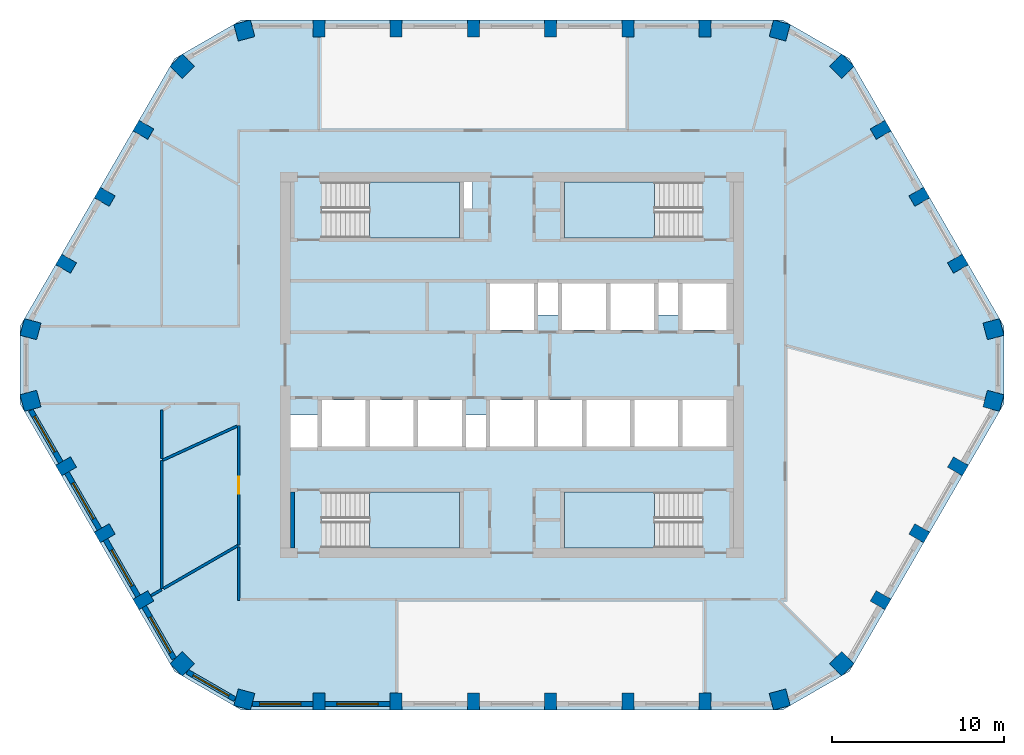
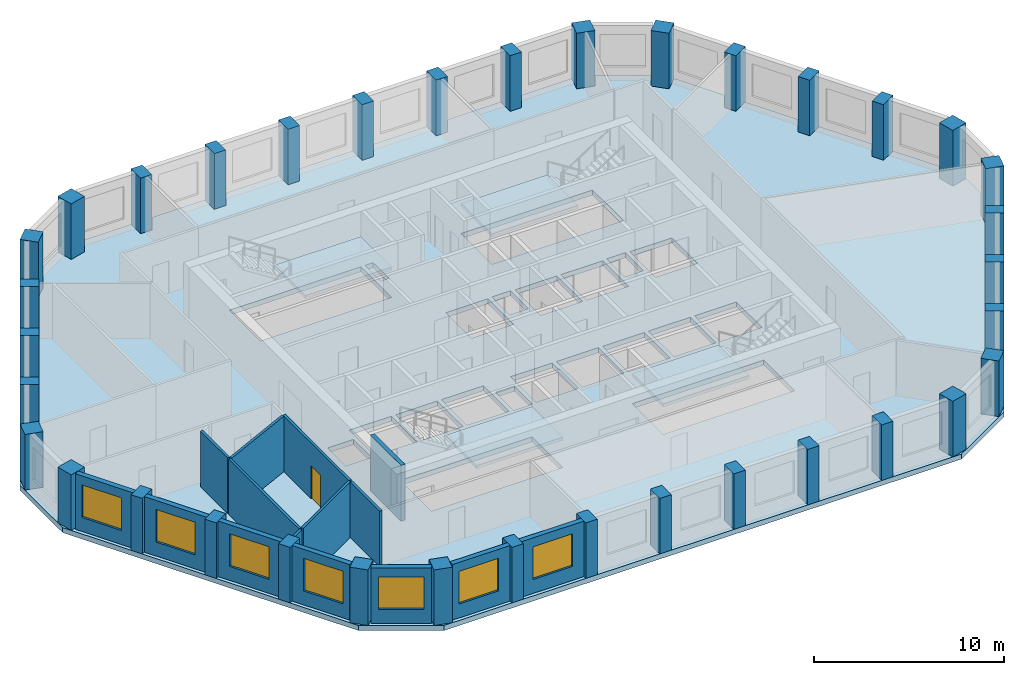
# One storey, part 1 of 10: 36 columns, 15 walls, 7 windows, 5 slabs, 1 door, 8 openings, 4 elements without a shape of their own.
"""IFC4 building model written with IfcOpenShell, lengths in metres."""

from ifc_helpers import new_model, si_unit, direction, frame, frame_2d, origin, origin_2d, place, context, subcontext, project, spatial, polyline, rectangle, outline, extrude, material, layer, layer_set, material_profile, profile_set, type_object, element, fill, aggregate, save


model = new_model("IFC4")

# Units and contexts
model_context = context("Model", 3, precision=1e-05, world=origin(), true_north=direction((0.0, 1.0)))
body_context = subcontext(model_context, "Body", "Model", "MODEL_VIEW")
ifc_project = project(units=[si_unit("LENGTHUNIT", "METRE"), si_unit("AREAUNIT", "SQUARE_METRE"), si_unit("VOLUMEUNIT", "CUBIC_METRE"), si_unit("PLANEANGLEUNIT", "RADIAN"), si_unit("MASSUNIT", "GRAM", prefix="KILO")], contexts=[model_context])

# Site, building, storey
site_placement = place(None, origin())
site = spatial("IfcSite", under=ifc_project, at=site_placement, CompositionType="ELEMENT")
building_placement = place(site_placement, origin())
building = spatial("IfcBuilding", under=site, at=building_placement, Name="Dhurran Vertical Campus", CompositionType="ELEMENT")
storey_placement = place(building_placement, frame((0.0, 0.0, 243.0)))
storey = spatial("IfcBuildingStorey", under=building, at=storey_placement, Name="L60", CompositionType="ELEMENT", Elevation=243.0)

# Columns
ifc_material_1 = material(Name="Concrete C50/60", Category="concrete")
ifc_material_profile_1 = material_profile(ifc_material_1, rectangle(XDim=1.0, YDim=1.0, at=origin_2d()), Name="RC 1000x1000")
ifc_profile_set_1 = profile_set([ifc_material_profile_1], Name="Concrete C50/60")
column_type_1 = type_object("IfcColumnType", Name="FR COL RC 1000x1000 C50/60", PredefinedType="COLUMN", material=ifc_profile_set_1)
for number, where, z_axis, x_axis, name in (
    (1, (-15.5859375, -19.47607421875, 0.0), (0.0, 0.0, 1.0), (0.965925826289, -0.258819045103, 0.0), "Perimeter pier PP5.00"),
    (2, (15.5859375, -19.47607421875, 0.0), (0.0, 0.0, 1.0), (0.965925826289, 0.258819045103, 0.0), "Perimeter pier PP5.07"),
    (3, (19.19873046875, -17.39013671875, 0.0), (0.0, 0.0, 1.0), (0.707106781187, 0.707106781187, 0.0), "Perimeter pier PP5.08"),
    (4, (28.03466796875, -2.0859375, 0.0), (0.0, 0.0, 1.0), (0.258819045103, 0.965925826289, 0.0), "Perimeter pier PP5.12"),
    (5, (28.03466796875, 2.0859375, 0.0), (0.0, 0.0, 1.0), (-0.258819045103, 0.965925826289, 0.0), "Perimeter pier PP5.13"),
    (6, (19.19873046875, 17.39013671875, 0.0), (0.0, 0.0, 1.0), (-0.707106781187, 0.707106781187, 0.0), "Perimeter pier PP5.17"),
    (7, (15.5859375, 19.47607421875, 0.0), (0.0, 0.0, 1.0), (-0.965925826289, 0.258819045103, 0.0), "Perimeter pier PP5.18"),
    (8, (-15.5859375, 19.47607421875, 0.0), (0.0, 0.0, 1.0), (-0.965925826289, -0.258819045103, 0.0), "Perimeter pier PP5.25"),
    (9, (-19.19873046875, 17.39013671875, 0.0), (0.0, 0.0, 1.0), (-0.707106781187, -0.707106781187, 0.0), "Perimeter pier PP5.26"),
    (10, (-28.03466796875, 2.0859375, 0.0), (0.0, 0.0, 1.0), (-0.258819045103, -0.965925826289, 0.0), "Perimeter pier PP5.30"),
    (11, (-28.03466796875, -2.0859375, 0.0), (0.0, 0.0, 1.0), (0.258819045103, -0.965925826289, 0.0), "Perimeter pier PP5.31"),
    (12, (-19.19873046875, -17.39013671875, 0.0), (0.0, 0.0, 1.0), (0.707106781187, -0.707106781187, 0.0), "Perimeter pier PP5.35"),
):
    element("IfcColumn", number, at=place(storey_placement, frame(where, z_axis=z_axis, x_axis=x_axis)), inside=storey, type_object=column_type_1, Name=name, PredefinedType="COLUMN", context=body_context, shape_type="SweptSolid", body=[
        extrude(rectangle(XDim=1.0, YDim=1.0, at=origin_2d()), origin(), (0.0, 0.0, 1.0), 3.574951171875),
    ])
ifc_material_2 = material(Name="Concrete C50/60", Category="concrete")
ifc_material_profile_2 = material_profile(ifc_material_2, rectangle(XDim=0.699951171875, YDim=1.0, at=origin_2d()), Name="RC 700x1000")
ifc_profile_set_2 = profile_set([ifc_material_profile_2], Name="Concrete C50/60")
column_type_2 = type_object("IfcColumnType", Name="FR COL RC 700x1000 C50/60", PredefinedType="COLUMN", material=ifc_profile_set_2)
for number, where, z_axis, x_axis, name in (
    (13, (-11.25, -19.58837890625, 0.0), (0.0, 0.0, 1.0), (1.0, 0.0, 0.0), "Perimeter pier PP5.01"),
    (14, (-6.75, -19.58837890625, 0.0), (0.0, 0.0, 1.0), (1.0, 0.0, 0.0), "Perimeter pier PP5.02"),
    (15, (-2.25, -19.58837890625, 0.0), (0.0, 0.0, 1.0), (1.0, 0.0, 0.0), "Perimeter pier PP5.03"),
    (16, (2.25, -19.58837890625, 0.0), (0.0, 0.0, 1.0), (1.0, 0.0, 0.0), "Perimeter pier PP5.04"),
    (17, (6.75, -19.58837890625, 0.0), (0.0, 0.0, 1.0), (1.0, 0.0, 0.0), "Perimeter pier PP5.05"),
    (18, (11.25, -19.58837890625, 0.0), (0.0, 0.0, 1.0), (1.0, 0.0, 0.0), "Perimeter pier PP5.06"),
    (19, (21.464111328125, -13.69140625, 0.0), (0.0, 0.0, 1.0), (0.5, 0.866025403784, 0.0), "Perimeter pier PP5.09"),
    (20, (23.714111328125, -9.794189453125, 0.0), (0.0, 0.0, 1.0), (0.5, 0.866025403784, 0.0), "Perimeter pier PP5.10"),
    (21, (25.964111328125, -5.897216796875, 0.0), (0.0, 0.0, 1.0), (0.5, 0.866025403784, 0.0), "Perimeter pier PP5.11"),
    (22, (25.964111328125, 5.897216796875, 0.0), (0.0, 0.0, 1.0), (-0.5, 0.866025403784, 0.0), "Perimeter pier PP5.14"),
    (23, (23.714111328125, 9.794189453125, 0.0), (0.0, 0.0, 1.0), (-0.5, 0.866025403784, 0.0), "Perimeter pier PP5.15"),
    (24, (21.464111328125, 13.69140625, 0.0), (0.0, 0.0, 1.0), (-0.5, 0.866025403784, 0.0), "Perimeter pier PP5.16"),
    (25, (11.25, 19.58837890625, 0.0), (0.0, 0.0, 1.0), (-1.0, 0.0, 0.0), "Perimeter pier PP5.19"),
    (26, (6.75, 19.58837890625, 0.0), (0.0, 0.0, 1.0), (-1.0, 0.0, 0.0), "Perimeter pier PP5.20"),
    (27, (2.25, 19.58837890625, 0.0), (0.0, 0.0, 1.0), (-1.0, 0.0, 0.0), "Perimeter pier PP5.21"),
    (28, (-2.25, 19.58837890625, 0.0), (0.0, 0.0, 1.0), (-1.0, 0.0, 0.0), "Perimeter pier PP5.22"),
    (29, (-6.75, 19.58837890625, 0.0), (0.0, 0.0, 1.0), (-1.0, 0.0, 0.0), "Perimeter pier PP5.23"),
    (30, (-11.25, 19.58837890625, 0.0), (0.0, 0.0, 1.0), (-1.0, 0.0, 0.0), "Perimeter pier PP5.24"),
    (31, (-21.464111328125, 13.69140625, 0.0), (0.0, 0.0, 1.0), (-0.5, -0.866025403784, 0.0), "Perimeter pier PP5.27"),
    (32, (-23.714111328125, 9.794189453125, 0.0), (0.0, 0.0, 1.0), (-0.5, -0.866025403784, 0.0), "Perimeter pier PP5.28"),
    (33, (-25.964111328125, 5.897216796875, 0.0), (0.0, 0.0, 1.0), (-0.5, -0.866025403784, 0.0), "Perimeter pier PP5.29"),
    (34, (-25.964111328125, -5.897216796875, 0.0), (0.0, 0.0, 1.0), (0.5, -0.866025403784, 0.0), "Perimeter pier PP5.32"),
    (35, (-23.714111328125, -9.794189453125, 0.0), (0.0, 0.0, 1.0), (0.5, -0.866025403784, 0.0), "Perimeter pier PP5.33"),
    (36, (-21.464111328125, -13.69140625, 0.0), (0.0, 0.0, 1.0), (0.5, -0.866025403784, 0.0), "Perimeter pier PP5.34"),
):
    element("IfcColumn", number, at=place(storey_placement, frame(where, z_axis=z_axis, x_axis=x_axis)), inside=storey, type_object=column_type_2, Name=name, PredefinedType="COLUMN", context=body_context, shape_type="SweptSolid", body=[
        extrude(rectangle(XDim=0.699951171875, YDim=1.0, at=origin_2d()), origin(), (0.0, 0.0, 1.0), 3.574951171875),
    ])

# Slab
ifc_material_3 = material(Name="Concrete C40/50", Category="concrete")
ifc_layer_1 = layer(ifc_material_3, 0.324951171875)
ifc_layer_set_1 = layer_set([ifc_layer_1], Name="Concrete C40/50")
slab_type_1 = type_object("IfcSlabType", Name="FR POST-TENSIONED FLAT SLAB 325", PredefinedType="FLOOR", material=ifc_layer_set_1)
slab_1_placement = place(storey_placement, frame((0.0, 0.0, -0.324951171875)))
element("IfcSlab", 37, at=slab_1_placement, inside=storey, type_object=slab_type_1, Name="Floor slab L60", PredefinedType="FLOOR", context=body_context, shape_type="SweptSolid", body=[
    extrude(outline(polyline([(-15.75, -20.08837890625), (15.75, -20.08837890625), (19.647216796875, -17.83837890625), (28.647216796875, -2.25), (28.647216796875, 2.25), (19.647216796875, 17.83837890625), (15.75, 20.08837890625), (-15.75, 20.08837890625), (-19.647216796875, 17.83837890625), (-28.647216796875, 2.25), (-28.647216796875, -2.25), (-19.647216796875, -17.83837890625), (-15.75, -20.08837890625)]), holes=[polyline([(-1.27490234375, 2.050048828125), (1.27490234375, 2.050048828125), (1.27490234375, 4.75), (-1.27490234375, 4.75), (-1.27490234375, 2.050048828125)]), polyline([(9.925048828125, 2.050048828125), (12.47509765625, 2.050048828125), (12.47509765625, 4.75), (9.925048828125, 4.75), (9.925048828125, 2.050048828125)]), polyline([(-1.27490234375, -4.75), (1.27490234375, -4.75), (1.27490234375, -2.050048828125), (-1.27490234375, -2.050048828125), (-1.27490234375, -4.75)]), polyline([(1.52490234375, -4.75), (4.074951171875, -4.75), (4.074951171875, -2.050048828125), (1.52490234375, -2.050048828125), (1.52490234375, -4.75)]), polyline([(4.324951171875, -4.75), (6.875, -4.75), (6.875, -2.050048828125), (4.324951171875, -2.050048828125), (4.324951171875, -4.75)]), polyline([(7.125, -4.75), (9.675048828125, -4.75), (9.675048828125, -2.050048828125), (7.125, -2.050048828125), (7.125, -4.75)]), polyline([(9.925048828125, -4.75), (12.47509765625, -4.75), (12.47509765625, -2.050048828125), (9.925048828125, -2.050048828125), (9.925048828125, -4.75)]), polyline([(2.925048828125, 2.050048828125), (5.47509765625, 2.050048828125), (5.47509765625, 4.75), (2.925048828125, 4.75), (2.925048828125, 2.050048828125)]), polyline([(5.72509765625, 2.050048828125), (8.27490234375, 2.050048828125), (8.27490234375, 4.75), (5.72509765625, 4.75), (5.72509765625, 2.050048828125)]), polyline([(-11.074951171875, -4.75), (-8.52490234375, -4.75), (-8.52490234375, -2.050048828125), (-11.074951171875, -2.050048828125), (-11.074951171875, -4.75)]), polyline([(-8.27490234375, -4.75), (-5.72509765625, -4.75), (-5.72509765625, -2.050048828125), (-8.27490234375, -2.050048828125), (-8.27490234375, -4.75)]), polyline([(-5.47509765625, -4.75), (-2.925048828125, -4.75), (-2.925048828125, -2.050048828125), (-5.47509765625, -2.050048828125), (-5.47509765625, -4.75)]), polyline([(-11.050048828125, 7.39990234375), (-3.050048828125, 7.39990234375), (-3.050048828125, 10.64990234375), (-11.050048828125, 10.64990234375), (-11.050048828125, 7.39990234375)]), polyline([(3.050048828125, 7.39990234375), (11.050048828125, 7.39990234375), (11.050048828125, 10.64990234375), (3.050048828125, 10.64990234375), (3.050048828125, 7.39990234375)]), polyline([(-11.050048828125, -10.64990234375), (-3.050048828125, -10.64990234375), (-3.050048828125, -7.39990234375), (-11.050048828125, -7.39990234375), (-11.050048828125, -10.64990234375)]), polyline([(3.050048828125, -10.64990234375), (11.050048828125, -10.64990234375), (11.050048828125, -7.39990234375), (3.050048828125, -7.39990234375), (3.050048828125, -10.64990234375)]), polyline([(2.675048828125, 2.89990234375), (1.52490234375, 2.89990234375), (1.52490234375, 4.800048828125), (2.675048828125, 4.800048828125), (2.675048828125, 2.89990234375)]), polyline([(-12.89990234375, -2.89990234375), (-11.324951171875, -2.89990234375), (-11.324951171875, -4.800048828125), (-12.89990234375, -4.800048828125), (-12.89990234375, -2.89990234375)]), polyline([(-2.675048828125, -2.89990234375), (-1.52490234375, -2.89990234375), (-1.52490234375, -4.800048828125), (-2.675048828125, -4.800048828125), (-2.675048828125, -2.89990234375)]), polyline([(-2.300048828125, 10.64990234375), (-2.300048828125, 9.0), (-2.800048828125, 9.0), (-2.800048828125, 10.64990234375), (-2.300048828125, 10.64990234375)]), polyline([(9.675048828125, 2.89990234375), (8.52490234375, 2.89990234375), (8.52490234375, 4.800048828125), (9.675048828125, 4.800048828125), (9.675048828125, 2.89990234375)])]), origin(), (0.0, 0.0, 1.0), 0.324951171875),
])

# Stair, slab
ifc_material_4 = material(Name="Concrete C40/50", Category="concrete")
stair_type = type_object("IfcStairType", Name="co-ST-CORE", PredefinedType="HALF_TURN_STAIR", material=ifc_material_4)
stair_1_placement = place(storey_placement, origin())
stair_1 = element("IfcStair", 38, at=stair_1_placement, inside=storey, type_object=stair_type, Name="L60 Protected exit stair ST1", PredefinedType="HALF_TURN_STAIR")
ifc_material_5 = material(Name="Concrete C40/50", Category="concrete")
ifc_layer_2 = layer(ifc_material_5, 0.199951171875)
ifc_layer_set_2 = layer_set([ifc_layer_2], Name="Concrete C40/50")
slab_type_2 = type_object("IfcSlabType", Name="co-SL-LANDING", PredefinedType="LANDING", material=ifc_layer_set_2)
slab_2_placement = place(storey_placement, frame((0.0, 0.0, 1.75)))
slab_2 = element("IfcSlab", 39, at=slab_2_placement, type_object=slab_type_2, Name="ST1 landing 1", PredefinedType="LANDING", context=body_context, shape_type="SweptSolid", body=[
    extrude(outline(polyline([(-8.300048828125, 7.39990234375), (-3.050048828125, 7.39990234375), (-3.050048828125, 10.64990234375), (-8.300048828125, 10.64990234375), (-8.300048828125, 7.39990234375)])), origin(), (0.0, 0.0, 1.0), 0.199951171875),
])
aggregate(stair_1, [slab_2])

stair_2_placement = place(storey_placement, origin())
stair_2 = element("IfcStair", 40, at=stair_2_placement, inside=storey, type_object=stair_type, Name="L60 Protected exit stair ST2", PredefinedType="HALF_TURN_STAIR")
slab_3_placement = place(storey_placement, frame((0.0, 0.0, 1.75)))
slab_3 = element("IfcSlab", 41, at=slab_3_placement, type_object=slab_type_2, Name="ST2 landing 1", PredefinedType="LANDING", context=body_context, shape_type="SweptSolid", body=[
    extrude(outline(polyline([(8.300048828125, 10.64990234375), (3.050048828125, 10.64990234375), (3.050048828125, 7.39990234375), (8.300048828125, 7.39990234375), (8.300048828125, 10.64990234375)])), origin(), (0.0, 0.0, 1.0), 0.199951171875),
])
aggregate(stair_2, [slab_3])

stair_3_placement = place(storey_placement, origin())
stair_3 = element("IfcStair", 42, at=stair_3_placement, inside=storey, type_object=stair_type, Name="L60 Protected exit stair ST3", PredefinedType="HALF_TURN_STAIR")
slab_4_placement = place(storey_placement, frame((0.0, 0.0, 1.75)))
slab_4 = element("IfcSlab", 43, at=slab_4_placement, type_object=slab_type_2, Name="ST3 landing 1", PredefinedType="LANDING", context=body_context, shape_type="SweptSolid", body=[
    extrude(outline(polyline([(-8.300048828125, -10.64990234375), (-3.050048828125, -10.64990234375), (-3.050048828125, -7.39990234375), (-8.300048828125, -7.39990234375), (-8.300048828125, -10.64990234375)])), origin(), (0.0, 0.0, 1.0), 0.199951171875),
])
aggregate(stair_3, [slab_4])

stair_4_placement = place(storey_placement, origin())
stair_4 = element("IfcStair", 44, at=stair_4_placement, inside=storey, type_object=stair_type, Name="L60 Protected exit stair ST4", PredefinedType="HALF_TURN_STAIR")
slab_5_placement = place(storey_placement, frame((0.0, 0.0, 1.75)))
slab_5 = element("IfcSlab", 45, at=slab_5_placement, type_object=slab_type_2, Name="ST4 landing 1", PredefinedType="LANDING", context=body_context, shape_type="SweptSolid", body=[
    extrude(outline(polyline([(8.300048828125, -7.39990234375), (3.050048828125, -7.39990234375), (3.050048828125, -10.64990234375), (8.300048828125, -10.64990234375), (8.300048828125, -7.39990234375)])), origin(), (0.0, 0.0, 1.0), 0.199951171875),
])
aggregate(stair_4, [slab_5])

# Wall, opening, window
ifc_material_6 = material(Name="Precast concrete C50/60", Category="concrete")
ifc_layer_3 = layer(ifc_material_6, 0.300048828125)
ifc_layer_set_3 = layer_set([ifc_layer_3], Name="Precast concrete C50/60")
wall_type_1 = type_object("IfcWallType", Name="Precast spandrel wall 300", PredefinedType="SOLIDWALL", material=ifc_layer_set_3)
wall_1_placement = place(storey_placement, frame((-15.09814453125, -19.738525390625, 0.0), z_axis=(0.0, 0.0, 1.0), x_axis=(1.0, 0.0, 0.0)))
wall_1 = element("IfcWall", 46, at=wall_1_placement, inside=storey, type_object=wall_type_1, Name="EW1 L60.00", PredefinedType="SOLIDWALL", context=body_context, shape_type="SweptSolid", body=[
    extrude(rectangle(XDim=3.49755859375, YDim=0.300048828125, at=frame_2d((1.748779296875, 0.0))), origin(), (0.0, 0.0, 1.0), 3.574951171875),
])
opening_1_placement = place(wall_1_placement, frame((0.398193359375, 0.0, 0.89990234375)))
opening_1 = element("IfcOpeningElement", 47, at=opening_1_placement, cuts=wall_1, Name="Opening WT1", PredefinedType="OPENING", context=body_context, shape_type="SweptSolid", body=[
    extrude(rectangle(XDim=2.39990234375, YDim=2.10009765625, at=frame_2d((1.199951171875, 1.050048828125))), frame((0.0, 0.159912109375, 0.0), z_axis=(0.0, -1.0, 0.0), x_axis=(1.0, 0.0, 0.0)), (0.0, 0.0, 1.0), 0.320068359375),
])
ifc_material_7 = material(Name="Aluminium frame with solar-control glass", Category="aluminium")
window_type = type_object("IfcWindowType", Name="Punched window 2400 x 2100", PartitioningType="SINGLE_PANEL", PredefinedType="WINDOW", material=ifc_material_7)
window_1_placement = place(opening_1_placement, origin())
window_1 = element("IfcWindow", 48, at=window_1_placement, inside=storey, type_object=window_type, Name="WT1 L60.00", OverallHeight=2.10009765625, OverallWidth=2.39990234375, PartitioningType="SINGLE_PANEL", PredefinedType="WINDOW", context=body_context, shape_type="SweptSolid", body=[
    extrude(rectangle(XDim=2.39990234375, YDim=2.10009765625, at=frame_2d((1.199951171875, 1.050048828125))), frame((0.0, 0.030029296875, 0.0), z_axis=(0.0, -1.0, 0.0), x_axis=(1.0, 0.0, 0.0)), (0.0, 0.0, 1.0), 0.06005859375),
])
fill(opening_1, window_1)

wall_2_placement = place(storey_placement, frame((-10.8994140625, -19.738525390625, 0.0), z_axis=(0.0, 0.0, 1.0), x_axis=(1.0, 0.0, 0.0)))
wall_2 = element("IfcWall", 49, at=wall_2_placement, inside=storey, type_object=wall_type_1, Name="EW1 L60.01", PredefinedType="SOLIDWALL", context=body_context, shape_type="SweptSolid", body=[
    extrude(rectangle(XDim=3.798828125, YDim=0.300048828125, at=frame_2d((1.8994140625, 0.0))), origin(), (0.0, 0.0, 1.0), 3.574951171875),
])
opening_2_placement = place(wall_2_placement, frame((0.699462890625, 0.0, 0.89990234375)))
opening_2 = element("IfcOpeningElement", 50, at=opening_2_placement, cuts=wall_2, Name="Opening WT1", PredefinedType="OPENING", context=body_context, shape_type="SweptSolid", body=[
    extrude(rectangle(XDim=2.39990234375, YDim=2.10009765625, at=frame_2d((1.199951171875, 1.050048828125))), frame((0.0, 0.159912109375, 0.0), z_axis=(0.0, -1.0, 0.0), x_axis=(1.0, 0.0, 0.0)), (0.0, 0.0, 1.0), 0.320068359375),
])
window_2_placement = place(opening_2_placement, origin())
window_2 = element("IfcWindow", 51, at=window_2_placement, inside=storey, type_object=window_type, Name="WT1 L60.01", OverallHeight=2.10009765625, OverallWidth=2.39990234375, PartitioningType="SINGLE_PANEL", PredefinedType="WINDOW", context=body_context, shape_type="SweptSolid", body=[
    extrude(rectangle(XDim=2.39990234375, YDim=2.10009765625, at=frame_2d((1.199951171875, 1.050048828125))), frame((0.0, 0.030029296875, 0.0), z_axis=(0.0, -1.0, 0.0), x_axis=(1.0, 0.0, 0.0)), (0.0, 0.0, 1.0), 0.06005859375),
])
fill(opening_2, window_2)

wall_3_placement = place(storey_placement, frame((-28.01806640625, -2.6396484375, 0.0), z_axis=(0.0, 0.0, 1.0), x_axis=(0.499990325971, -0.866030989016, 0.0)))
wall_3 = element("IfcWall", 52, at=wall_3_placement, inside=storey, type_object=wall_type_1, Name="EW1 L60.31", PredefinedType="SOLIDWALL", context=body_context, shape_type="SweptSolid", body=[
    extrude(rectangle(XDim=3.49755859375, YDim=0.300048828125, at=frame_2d((1.748779296875, 0.0))), origin(), (0.0, 0.0, 1.0), 3.574951171875),
])
opening_3_placement = place(wall_3_placement, frame((0.398193359375, 0.0, 0.89990234375)))
opening_3 = element("IfcOpeningElement", 53, at=opening_3_placement, cuts=wall_3, Name="Opening WT1", PredefinedType="OPENING", context=body_context, shape_type="SweptSolid", body=[
    extrude(rectangle(XDim=2.39990234375, YDim=2.10009765625, at=frame_2d((1.199951171875, 1.050048828125))), frame((0.0, 0.159912109375, 0.0), z_axis=(0.0, -1.0, 0.0), x_axis=(1.0, 0.0, 0.0)), (0.0, 0.0, 1.0), 0.320068359375),
])
window_3_placement = place(opening_3_placement, origin())
window_3 = element("IfcWindow", 54, at=window_3_placement, inside=storey, type_object=window_type, Name="WT1 L60.31", OverallHeight=2.10009765625, OverallWidth=2.39990234375, PartitioningType="SINGLE_PANEL", PredefinedType="WINDOW", context=body_context, shape_type="SweptSolid", body=[
    extrude(rectangle(XDim=2.39990234375, YDim=2.10009765625, at=frame_2d((1.199951171875, 1.050048828125))), frame((0.0, 0.030029296875, 0.0), z_axis=(0.0, -1.0, 0.0), x_axis=(1.0, 0.0, 0.0)), (0.0, 0.0, 1.0), 0.06005859375),
])
fill(opening_3, window_3)

wall_4_placement = place(storey_placement, frame((-25.918701171875, -6.275634765625, 0.0), z_axis=(0.0, 0.0, 1.0), x_axis=(0.499982058975, -0.866035761792, 0.0)))
wall_4 = element("IfcWall", 55, at=wall_4_placement, inside=storey, type_object=wall_type_1, Name="EW1 L60.32", PredefinedType="SOLIDWALL", context=body_context, shape_type="SweptSolid", body=[
    extrude(rectangle(XDim=3.799072265625, YDim=0.300048828125, at=frame_2d((1.8994140625, 0.0))), origin(), (0.0, 0.0, 1.0), 3.574951171875),
])
opening_4_placement = place(wall_4_placement, frame((0.699462890625, 0.0, 0.89990234375)))
opening_4 = element("IfcOpeningElement", 56, at=opening_4_placement, cuts=wall_4, Name="Opening WT1", PredefinedType="OPENING", context=body_context, shape_type="SweptSolid", body=[
    extrude(rectangle(XDim=2.39990234375, YDim=2.10009765625, at=frame_2d((1.199951171875, 1.050048828125))), frame((0.0, 0.159912109375, 0.0), z_axis=(0.0, -1.0, 0.0), x_axis=(1.0, 0.0, 0.0)), (0.0, 0.0, 1.0), 0.320068359375),
])
window_4_placement = place(opening_4_placement, origin())
window_4 = element("IfcWindow", 57, at=window_4_placement, inside=storey, type_object=window_type, Name="WT1 L60.32", OverallHeight=2.10009765625, OverallWidth=2.39990234375, PartitioningType="SINGLE_PANEL", PredefinedType="WINDOW", context=body_context, shape_type="SweptSolid", body=[
    extrude(rectangle(XDim=2.39990234375, YDim=2.10009765625, at=frame_2d((1.199951171875, 1.050048828125))), frame((0.0, 0.030029296875, 0.0), z_axis=(0.0, -1.0, 0.0), x_axis=(1.0, 0.0, 0.0)), (0.0, 0.0, 1.0), 0.06005859375),
])
fill(opening_4, window_4)

wall_5_placement = place(storey_placement, frame((-23.668701171875, -10.1728515625, 0.0), z_axis=(0.0, 0.0, 1.0), x_axis=(0.499982058975, -0.866035761792, 0.0)))
wall_5 = element("IfcWall", 58, at=wall_5_placement, inside=storey, type_object=wall_type_1, Name="EW1 L60.33", PredefinedType="SOLIDWALL", context=body_context, shape_type="SweptSolid", body=[
    extrude(rectangle(XDim=3.799072265625, YDim=0.300048828125, at=frame_2d((1.8994140625, 0.0))), origin(), (0.0, 0.0, 1.0), 3.574951171875),
])
opening_5_placement = place(wall_5_placement, frame((0.699462890625, 0.0, 0.89990234375)))
opening_5 = element("IfcOpeningElement", 59, at=opening_5_placement, cuts=wall_5, Name="Opening WT1", PredefinedType="OPENING", context=body_context, shape_type="SweptSolid", body=[
    extrude(rectangle(XDim=2.39990234375, YDim=2.10009765625, at=frame_2d((1.199951171875, 1.050048828125))), frame((0.0, 0.159912109375, 0.0), z_axis=(0.0, -1.0, 0.0), x_axis=(1.0, 0.0, 0.0)), (0.0, 0.0, 1.0), 0.320068359375),
])
window_5_placement = place(opening_5_placement, origin())
window_5 = element("IfcWindow", 60, at=window_5_placement, inside=storey, type_object=window_type, Name="WT1 L60.33", OverallHeight=2.10009765625, OverallWidth=2.39990234375, PartitioningType="SINGLE_PANEL", PredefinedType="WINDOW", context=body_context, shape_type="SweptSolid", body=[
    extrude(rectangle(XDim=2.39990234375, YDim=2.10009765625, at=frame_2d((1.199951171875, 1.050048828125))), frame((0.0, 0.030029296875, 0.0), z_axis=(0.0, -1.0, 0.0), x_axis=(1.0, 0.0, 0.0)), (0.0, 0.0, 1.0), 0.06005859375),
])
fill(opening_5, window_5)

wall_6_placement = place(storey_placement, frame((-21.418701171875, -14.06982421875, 0.0), z_axis=(0.0, 0.0, 1.0), x_axis=(0.499960102815, -0.866048437209, 0.0)))
wall_6 = element("IfcWall", 61, at=wall_6_placement, inside=storey, type_object=wall_type_1, Name="EW1 L60.34", PredefinedType="SOLIDWALL", context=body_context, shape_type="SweptSolid", body=[
    extrude(rectangle(XDim=3.497802734375, YDim=0.300048828125, at=frame_2d((1.7490234375, 0.0))), origin(), (0.0, 0.0, 1.0), 3.574951171875),
])
opening_6_placement = place(wall_6_placement, frame((0.699462890625, 0.0, 0.89990234375)))
opening_6 = element("IfcOpeningElement", 62, at=opening_6_placement, cuts=wall_6, Name="Opening WT1", PredefinedType="OPENING", context=body_context, shape_type="SweptSolid", body=[
    extrude(rectangle(XDim=2.39990234375, YDim=2.10009765625, at=frame_2d((1.199951171875, 1.050048828125))), frame((0.0, 0.159912109375, 0.0), z_axis=(0.0, -1.0, 0.0), x_axis=(1.0, 0.0, 0.0)), (0.0, 0.0, 1.0), 0.320068359375),
])
window_6_placement = place(opening_6_placement, origin())
window_6 = element("IfcWindow", 63, at=window_6_placement, inside=storey, type_object=window_type, Name="WT1 L60.34", OverallHeight=2.10009765625, OverallWidth=2.39990234375, PartitioningType="SINGLE_PANEL", PredefinedType="WINDOW", context=body_context, shape_type="SweptSolid", body=[
    extrude(rectangle(XDim=2.39990234375, YDim=2.10009765625, at=frame_2d((1.199951171875, 1.050048828125))), frame((0.0, 0.030029296875, 0.0), z_axis=(0.0, -1.0, 0.0), x_axis=(1.0, 0.0, 0.0)), (0.0, 0.0, 1.0), 0.06005859375),
])
fill(opening_6, window_6)

wall_7_placement = place(storey_placement, frame((-18.90771484375, -17.861328125, 0.0), z_axis=(0.0, 0.0, 1.0), x_axis=(0.866025316205, -0.500000151692, 0.0)))
wall_7 = element("IfcWall", 64, at=wall_7_placement, inside=storey, type_object=wall_type_1, Name="EW1 L60.35", PredefinedType="SOLIDWALL", context=body_context, shape_type="SweptSolid", body=[
    extrude(rectangle(XDim=3.1962890625, YDim=0.300048828125, at=frame_2d((1.59814453125, 0.0))), origin(), (0.0, 0.0, 1.0), 3.574951171875),
])
opening_7_placement = place(wall_7_placement, frame((0.398193359375, 0.0, 0.89990234375)))
opening_7 = element("IfcOpeningElement", 65, at=opening_7_placement, cuts=wall_7, Name="Opening WT1", PredefinedType="OPENING", context=body_context, shape_type="SweptSolid", body=[
    extrude(rectangle(XDim=2.39990234375, YDim=2.10009765625, at=frame_2d((1.199951171875, 1.050048828125))), frame((0.0, 0.159912109375, 0.0), z_axis=(0.0, -1.0, 0.0), x_axis=(1.0, 0.0, 0.0)), (0.0, 0.0, 1.0), 0.320068359375),
])
window_7_placement = place(opening_7_placement, origin())
window_7 = element("IfcWindow", 66, at=window_7_placement, inside=storey, type_object=window_type, Name="WT1 L60.35", OverallHeight=2.10009765625, OverallWidth=2.39990234375, PartitioningType="SINGLE_PANEL", PredefinedType="WINDOW", context=body_context, shape_type="SweptSolid", body=[
    extrude(rectangle(XDim=2.39990234375, YDim=2.10009765625, at=frame_2d((1.199951171875, 1.050048828125))), frame((0.0, 0.030029296875, 0.0), z_axis=(0.0, -1.0, 0.0), x_axis=(1.0, 0.0, 0.0)), (0.0, 0.0, 1.0), 0.06005859375),
])
fill(opening_7, window_7)

# Walls
ifc_material_8 = material(Name="Concrete C40/50", Category="concrete")
ifc_layer_4 = layer(ifc_material_8, 0.25)
ifc_layer_set_4 = layer_set([ifc_layer_4], Name="Concrete C40/50")
wall_type_2 = type_object("IfcWallType", Name="co-STAIR-WALL-250", PredefinedType="SHEAR", material=ifc_layer_set_4)
wall_8_placement = place(storey_placement, frame((-12.77490234375, -10.64990234375, 0.0), z_axis=(0.0, 0.0, 1.0), x_axis=(0.0, 1.0, 0.0)))
element("IfcWall", 67, at=wall_8_placement, inside=storey, type_object=wall_type_2, Name="Stair ST3 enclosure wall L60", PredefinedType="SHEAR", context=body_context, shape_type="SweptSolid", body=[
    extrude(rectangle(XDim=3.25, YDim=0.25, at=frame_2d((1.625, 0.0))), origin(), (0.0, 0.0, 1.0), 3.574951171875),
])
ifc_material_9 = material(Name="Gypsum board corridor wall on steel studs", Category="steel")
ifc_layer_5 = layer(ifc_material_9, 0.14990234375)
ifc_layer_set_5 = layer_set([ifc_layer_5], Name="Gypsum board corridor wall on steel studs")
wall_type_3 = type_object("IfcWallType", Name="fl-CW-150 corridor wall", PredefinedType="PARTITIONING", material=ifc_layer_set_5)
wall_9_placement = place(storey_placement, frame((-15.89990234375, -10.60888671875, 0.0), z_axis=(0.0, 0.0, 1.0), x_axis=(0.0, -1.0, 0.0)))
element("IfcWall", 68, at=wall_9_placement, inside=storey, type_object=wall_type_3, Name="Partition 60-14", PredefinedType="PARTITIONING", context=body_context, shape_type="SweptSolid", body=[
    extrude(rectangle(XDim=3.1162109375, YDim=0.14990234375, at=frame_2d((1.55810546875, 0.0))), origin(), (0.0, 0.0, 1.0), 3.574951171875),
])

# Wall, opening, door
wall_10_placement = place(storey_placement, frame((-15.89990234375, -3.508056640625, 0.0), z_axis=(0.0, 0.0, 1.0), x_axis=(0.0, -1.0, 0.0)))
wall_10 = element("IfcWall", 69, at=wall_10_placement, inside=storey, type_object=wall_type_3, Name="Partition 60-16", PredefinedType="PARTITIONING", context=body_context, shape_type="SweptSolid", body=[
    extrude(rectangle(XDim=6.970947265625, YDim=0.14990234375, at=frame_2d((3.4853515625, 0.0))), origin(), (0.0, 0.0, 1.0), 3.574951171875),
])
opening_8_placement = place(wall_10_placement, frame((2.985595703125, 0.0, 0.0)))
opening_8 = element("IfcOpeningElement", 70, at=opening_8_placement, cuts=wall_10, Name="Opening T17.05", PredefinedType="OPENING", context=body_context, shape_type="SweptSolid", body=[
    extrude(rectangle(XDim=1.0, YDim=2.10009765625, at=frame_2d((0.5, 1.050048828125))), frame((0.0, 0.0849609375, 0.0), z_axis=(0.0, -1.0, 0.0), x_axis=(1.0, 0.0, 0.0)), (0.0, 0.0, 1.0), 0.169921875),
])
ifc_material_10 = material(Name="Solid-core timber door set, fire-rated", Category="wood")
door_type = type_object("IfcDoorType", Name="fl-D-1000x2100", OperationType="SINGLE_SWING_LEFT", PredefinedType="DOOR", material=ifc_material_10)
door_placement = place(opening_8_placement, origin())
door = element("IfcDoor", 71, at=door_placement, inside=storey, type_object=door_type, Name="Door 60.05", OperationType="SINGLE_SWING_RIGHT", OverallHeight=2.10009765625, OverallWidth=1.0, PredefinedType="DOOR", context=body_context, shape_type="SweptSolid", body=[
    extrude(rectangle(XDim=1.0, YDim=2.10009765625, at=frame_2d((0.5, 1.050048828125))), frame((0.0, 0.02490234375, 0.0), z_axis=(0.0, -1.0, 0.0), x_axis=(1.0, 0.0, 0.0)), (0.0, 0.0, 1.0), 0.050048828125),
])
fill(opening_8, door)

# Walls
ifc_material_11 = material(Name="Gypsum board partition on steel studs", Category="steel")
ifc_layer_6 = layer(ifc_material_11, 0.14990234375)
ifc_layer_set_6 = layer_set([ifc_layer_6], Name="Gypsum board partition on steel studs")
wall_type_4 = type_object("IfcWallType", Name="fl-PW-150 fixed partition", PredefinedType="PARTITIONING", material=ifc_layer_set_6)
wall_11_placement = place(storey_placement, frame((-20.39990234375, -13.076904296875, 0.0), z_axis=(0.0, 0.0, 1.0), x_axis=(-0.866030760678, -0.499990721473, 0.0)))
element("IfcWall", 72, at=wall_11_placement, inside=storey, type_object=wall_type_4, Name="Partition 60-03", PredefinedType="PARTITIONING", context=body_context, shape_type="SweptSolid", body=[
    extrude(rectangle(XDim=0.708984375, YDim=0.14990234375, at=frame_2d((0.3544921875, 0.0))), origin(), (0.0, 0.0, 1.0), 3.574951171875),
])
wall_12_placement = place(storey_placement, frame((-20.39990234375, -5.572021484375, 0.0), z_axis=(0.0, 0.0, 1.0), x_axis=(0.0, -1.0, 0.0)))
element("IfcWall", 73, at=wall_12_placement, inside=storey, type_object=wall_type_4, Name="Partition 60-05", PredefinedType="PARTITIONING", context=body_context, shape_type="SweptSolid", body=[
    extrude(rectangle(XDim=7.429931640625, YDim=0.14990234375, at=frame_2d((3.71484375, 0.0))), origin(), (0.0, 0.0, 1.0), 3.574951171875),
])
wall_13_placement = place(storey_placement, frame((-15.965087890625, -10.5166015625, 0.0), z_axis=(0.0, 0.0, 1.0), x_axis=(-0.866034070548, -0.499984988425, 0.0)))
element("IfcWall", 74, at=wall_13_placement, inside=storey, type_object=wall_type_4, Name="Partition 60-06", PredefinedType="PARTITIONING", context=body_context, shape_type="SweptSolid", body=[
    extrude(rectangle(XDim=4.990966796875, YDim=0.14990234375, at=frame_2d((2.49560546875, 0.0))), origin(), (0.0, 0.0, 1.0), 3.574951171875),
])
wall_14_placement = place(storey_placement, frame((-20.39990234375, -2.610107421875, 0.0), z_axis=(0.0, 0.0, 1.0), x_axis=(0.0, -1.0, 0.0)))
element("IfcWall", 75, at=wall_14_placement, inside=storey, type_object=wall_type_4, Name="Partition 60-07", PredefinedType="PARTITIONING", context=body_context, shape_type="SweptSolid", body=[
    extrude(rectangle(XDim=2.846923828125, YDim=0.14990234375, at=frame_2d((1.42333984375, 0.0))), origin(), (0.0, 0.0, 1.0), 3.574951171875),
])
wall_15_placement = place(storey_placement, frame((-16.004638671875, -3.555908203125, 0.0), z_axis=(0.0, 0.0, 1.0), x_axis=(-0.908938523631, -0.416930162329, 0.0)))
element("IfcWall", 76, at=wall_15_placement, inside=storey, type_object=wall_type_4, Name="Partition 60-08", PredefinedType="PARTITIONING", context=body_context, shape_type="SweptSolid", body=[
    extrude(rectangle(XDim=4.7607421875, YDim=0.14990234375, at=frame_2d((2.38037109375, 0.0))), origin(), (0.0, 0.0, 1.0), 3.574951171875),
])

save(model, "model.ifc")
